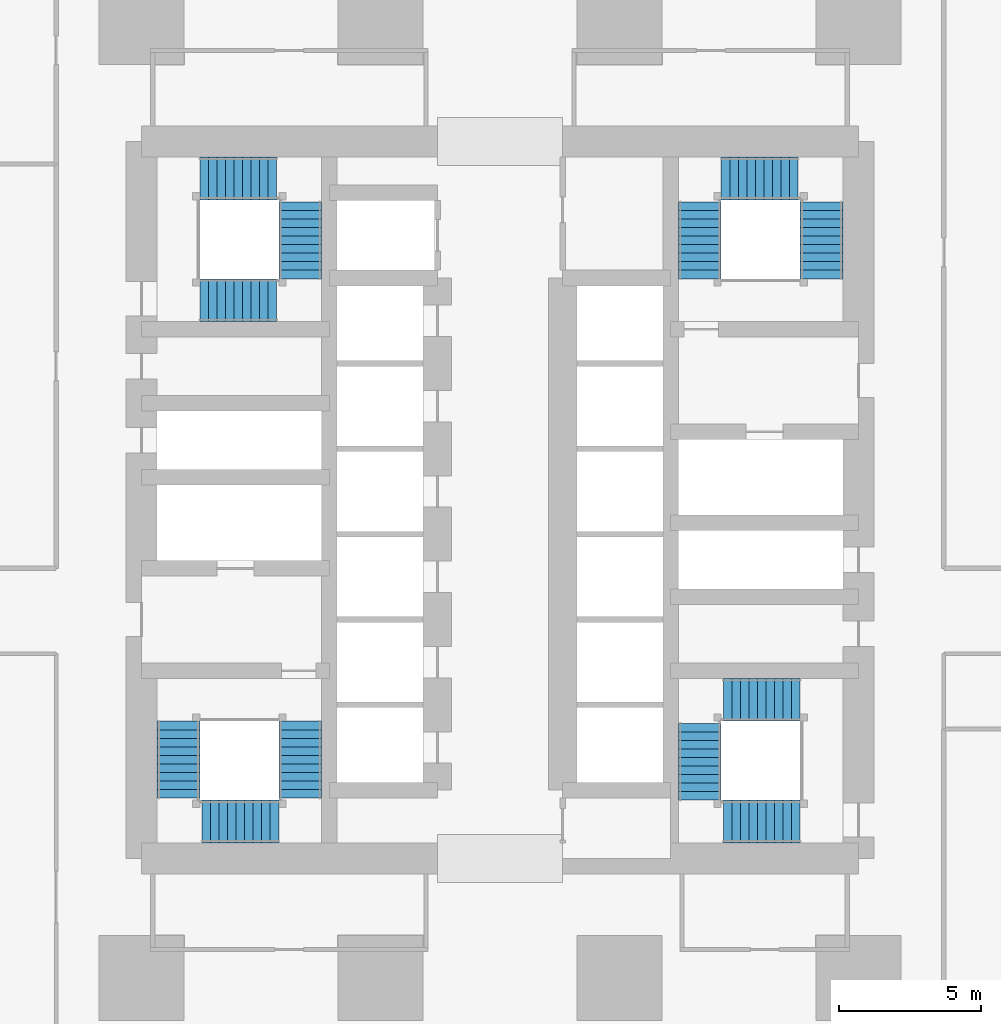
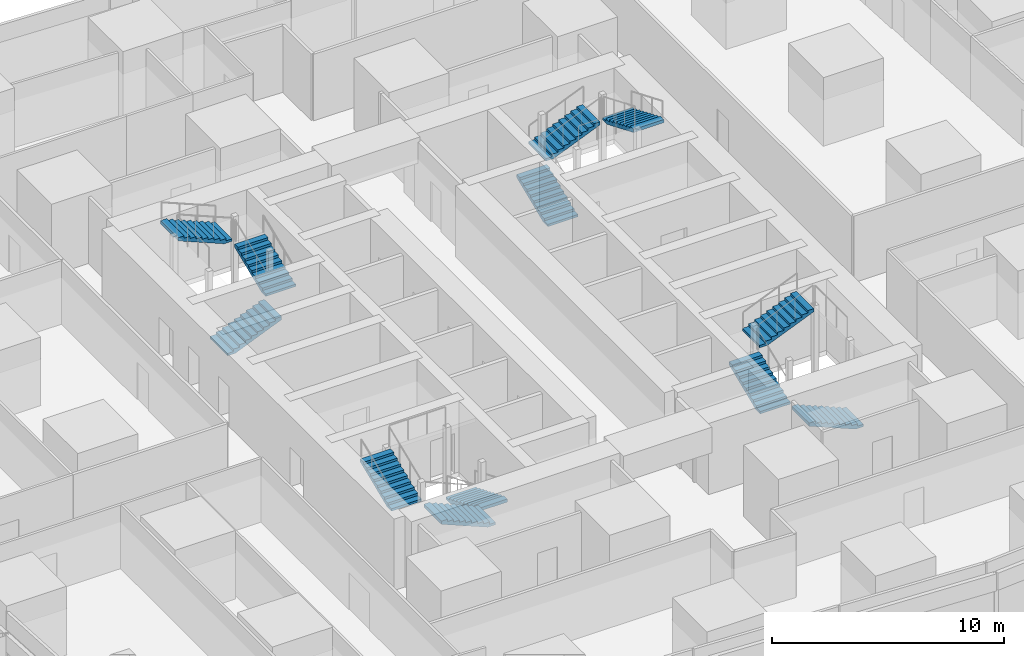
# One storey, part 36 of 45: 12 stair flights, 4 elements without a shape of their own.
"""IFC4 building model written with IfcOpenShell, lengths in metres."""

from ifc_helpers import new_model, si_unit, direction, frame, origin, place, context, subcontext, project, spatial, polyline, outline, extrude, material, type_object, element, aggregate, save


model = new_model("IFC4")

# Units and contexts
model_context = context("Model", 3, precision=1e-05, world=origin(), true_north=direction((0.0, 1.0)))
body_context = subcontext(model_context, "Body", "Model", "MODEL_VIEW")
ifc_project = project(units=[si_unit("LENGTHUNIT", "METRE"), si_unit("AREAUNIT", "SQUARE_METRE"), si_unit("VOLUMEUNIT", "CUBIC_METRE"), si_unit("PLANEANGLEUNIT", "RADIAN"), si_unit("MASSUNIT", "GRAM", prefix="KILO")], contexts=[model_context])

# Site, building, storey
site_placement = place(None, origin())
site = spatial("IfcSite", under=ifc_project, at=site_placement, CompositionType="ELEMENT")
building_placement = place(site_placement, origin())
building = spatial("IfcBuilding", under=site, at=building_placement, Name="Rekha Terrace Tower", CompositionType="ELEMENT")
storey_placement = place(building_placement, frame((0.0, 0.0, 77.89990234375)))
storey = spatial("IfcBuildingStorey", under=building, at=storey_placement, Name="L19", CompositionType="ELEMENT", Elevation=77.89990234375)

# Stair, stair flights
ifc_material = material(Name="Concrete M40", Category="concrete")
stair_type = type_object("IfcStairType", Name="ST30 stair, 30 risers of 125, going 300, 1500 wide flights, 3 flights", PredefinedType="HALF_TURN_STAIR", material=ifc_material)
stair_1_placement = place(storey_placement, origin())
stair_1 = element("IfcStair", 1, at=stair_1_placement, inside=storey, type_object=stair_type, Name="Stair ST1 L19 to L20", PredefinedType="HALF_TURN_STAIR")
stair_flight_type = type_object("IfcStairFlightType", Name="SF10 stair flight, 10 risers of 125, going 300, 1500 wide", PredefinedType="STRAIGHT", material=ifc_material)
stair_flight_1_placement = place(storey_placement, frame((30.77490234375, 25.824951171875, 0.0), z_axis=(0.0, 0.0, 1.0), x_axis=(0.0, -1.0, 0.0)))
stair_flight_1 = element("IfcStairFlight", 2, at=stair_flight_1_placement, type_object=stair_flight_type, Name="ST1 flight 1", NumberOfRisers=10, NumberOfTreads=9, PredefinedType="STRAIGHT", RiserHeight=0.125, TreadLength=0.3, context=body_context, shape_type="SweptSolid", body=[
    extrude(outline(polyline([(0.0, 0.0), (0.0, 0.125), (0.300048828125, 0.125), (0.300048828125, 0.25), (0.60009765625, 0.25), (0.60009765625, 0.375), (0.89990234375, 0.375), (0.89990234375, 0.5), (1.199951171875, 0.5), (1.199951171875, 0.625), (1.5, 0.625), (1.5, 0.75), (1.800048828125, 0.75), (1.800048828125, 0.875), (2.10009765625, 0.875), (2.10009765625, 1.0), (2.39990234375, 1.0), (2.39990234375, 1.125), (2.699951171875, 1.125), (2.699951171875, 1.25), (2.699951171875, 0.962646484375), (0.3896484375, 0.0), (0.0, 0.0)])), frame((0.0, 0.75, 0.0), z_axis=(0.0, -1.0, 0.0), x_axis=(1.0, 0.0, 0.0)), (0.0, 0.0, 1.0), 1.5),
])
stair_flight_2_placement = place(storey_placement, frame((30.02490234375, 22.300048828125, 1.25), z_axis=(0.0, 0.0, 1.0), x_axis=(-1.0, 0.0, 0.0)))
stair_flight_2 = element("IfcStairFlight", 3, at=stair_flight_2_placement, type_object=stair_flight_type, Name="ST1 flight 2", NumberOfRisers=10, NumberOfTreads=9, PredefinedType="STRAIGHT", RiserHeight=0.125, TreadLength=0.3, context=body_context, shape_type="SweptSolid", body=[
    extrude(outline(polyline([(0.0, 0.0), (0.0, 0.125), (0.300048828125, 0.125), (0.300048828125, 0.25), (0.60009765625, 0.25), (0.60009765625, 0.375), (0.89990234375, 0.375), (0.89990234375, 0.5), (1.199951171875, 0.5), (1.199951171875, 0.625), (1.5, 0.625), (1.5, 0.75), (1.800048828125, 0.75), (1.800048828125, 0.875), (2.10009765625, 0.875), (2.10009765625, 1.0), (2.39990234375, 1.0), (2.39990234375, 1.125), (2.699951171875, 1.125), (2.699951171875, 1.25), (2.699951171875, 0.962646484375), (0.3896484375, 0.0), (0.0, 0.0)])), frame((0.0, 0.75, 0.0), z_axis=(0.0, -1.0, 0.0), x_axis=(1.0, 0.0, 0.0)), (0.0, 0.0, 1.0), 1.5),
])
stair_flight_3_placement = place(storey_placement, frame((26.5, 23.125, 2.5), z_axis=(0.0, 0.0, 1.0), x_axis=(0.0, 1.0, 0.0)))
stair_flight_3 = element("IfcStairFlight", 4, at=stair_flight_3_placement, type_object=stair_flight_type, Name="ST1 flight 3", NumberOfRisers=10, NumberOfTreads=9, PredefinedType="STRAIGHT", RiserHeight=0.125, TreadLength=0.3, context=body_context, shape_type="SweptSolid", body=[
    extrude(outline(polyline([(0.0, 0.0), (0.0, 0.125), (0.300048828125, 0.125), (0.300048828125, 0.25), (0.60009765625, 0.25), (0.60009765625, 0.375), (0.89990234375, 0.375), (0.89990234375, 0.5), (1.199951171875, 0.5), (1.199951171875, 0.625), (1.5, 0.625), (1.5, 0.75), (1.800048828125, 0.75), (1.800048828125, 0.875), (2.10009765625, 0.875), (2.10009765625, 1.0), (2.39990234375, 1.0), (2.39990234375, 1.125), (2.699951171875, 1.125), (2.699951171875, 1.25), (2.699951171875, 0.962646484375), (0.3896484375, 0.0), (0.0, 0.0)])), frame((0.0, 0.75, 0.0), z_axis=(0.0, -1.0, 0.0), x_axis=(1.0, 0.0, 0.0)), (0.0, 0.0, 1.0), 1.5),
])
aggregate(stair_1, [stair_flight_1, stair_flight_2, stair_flight_3])

stair_2_placement = place(storey_placement, origin())
stair_2 = element("IfcStair", 5, at=stair_2_placement, inside=storey, type_object=stair_type, Name="Stair ST2 L19 to L20", PredefinedType="HALF_TURN_STAIR")
stair_flight_4_placement = place(storey_placement, frame((44.824951171875, 41.375, 0.0), z_axis=(0.0, 0.0, 1.0), x_axis=(0.0, 1.0, 0.0)))
stair_flight_4 = element("IfcStairFlight", 6, at=stair_flight_4_placement, type_object=stair_flight_type, Name="ST2 flight 1", NumberOfRisers=10, NumberOfTreads=9, PredefinedType="STRAIGHT", RiserHeight=0.125, TreadLength=0.3, context=body_context, shape_type="SweptSolid", body=[
    extrude(outline(polyline([(0.0, 0.0), (0.0, 0.125), (0.300048828125, 0.125), (0.300048828125, 0.25), (0.60009765625, 0.25), (0.60009765625, 0.375), (0.89990234375, 0.375), (0.89990234375, 0.5), (1.199951171875, 0.5), (1.199951171875, 0.625), (1.5, 0.625), (1.5, 0.75), (1.800048828125, 0.75), (1.800048828125, 0.875), (2.10009765625, 0.875), (2.10009765625, 1.0), (2.39990234375, 1.0), (2.39990234375, 1.125), (2.699951171875, 1.125), (2.699951171875, 1.25), (2.699951171875, 0.962646484375), (0.3896484375, 0.0), (0.0, 0.0)])), frame((0.0, 0.75, 0.0), z_axis=(0.0, -1.0, 0.0), x_axis=(1.0, 0.0, 0.0)), (0.0, 0.0, 1.0), 1.5),
])
stair_flight_5_placement = place(storey_placement, frame((45.574951171875, 44.89990234375, 1.25), z_axis=(0.0, 0.0, 1.0), x_axis=(1.0, 0.0, 0.0)))
stair_flight_5 = element("IfcStairFlight", 7, at=stair_flight_5_placement, type_object=stair_flight_type, Name="ST2 flight 2", NumberOfRisers=10, NumberOfTreads=9, PredefinedType="STRAIGHT", RiserHeight=0.125, TreadLength=0.3, context=body_context, shape_type="SweptSolid", body=[
    extrude(outline(polyline([(0.0, 0.0), (0.0, 0.125), (0.300048828125, 0.125), (0.300048828125, 0.25), (0.60009765625, 0.25), (0.60009765625, 0.375), (0.89990234375, 0.375), (0.89990234375, 0.5), (1.199951171875, 0.5), (1.199951171875, 0.625), (1.5, 0.625), (1.5, 0.75), (1.800048828125, 0.75), (1.800048828125, 0.875), (2.10009765625, 0.875), (2.10009765625, 1.0), (2.39990234375, 1.0), (2.39990234375, 1.125), (2.699951171875, 1.125), (2.699951171875, 1.25), (2.699951171875, 0.962646484375), (0.3896484375, 0.0), (0.0, 0.0)])), frame((0.0, 0.75, 0.0), z_axis=(0.0, -1.0, 0.0), x_axis=(1.0, 0.0, 0.0)), (0.0, 0.0, 1.0), 1.5),
])
stair_flight_6_placement = place(storey_placement, frame((49.10009765625, 44.074951171875, 2.5), z_axis=(0.0, 0.0, 1.0), x_axis=(0.0, -1.0, 0.0)))
stair_flight_6 = element("IfcStairFlight", 8, at=stair_flight_6_placement, type_object=stair_flight_type, Name="ST2 flight 3", NumberOfRisers=10, NumberOfTreads=9, PredefinedType="STRAIGHT", RiserHeight=0.125, TreadLength=0.3, context=body_context, shape_type="SweptSolid", body=[
    extrude(outline(polyline([(0.0, 0.0), (0.0, 0.125), (0.300048828125, 0.125), (0.300048828125, 0.25), (0.60009765625, 0.25), (0.60009765625, 0.375), (0.89990234375, 0.375), (0.89990234375, 0.5), (1.199951171875, 0.5), (1.199951171875, 0.625), (1.5, 0.625), (1.5, 0.75), (1.800048828125, 0.75), (1.800048828125, 0.875), (2.10009765625, 0.875), (2.10009765625, 1.0), (2.39990234375, 1.0), (2.39990234375, 1.125), (2.699951171875, 1.125), (2.699951171875, 1.25), (2.699951171875, 0.962646484375), (0.3896484375, 0.0), (0.0, 0.0)])), frame((0.0, 0.75, 0.0), z_axis=(0.0, -1.0, 0.0), x_axis=(1.0, 0.0, 0.0)), (0.0, 0.0, 1.0), 1.5),
])
aggregate(stair_2, [stair_flight_4, stair_flight_5, stair_flight_6])

stair_3_placement = place(storey_placement, origin())
stair_3 = element("IfcStair", 9, at=stair_3_placement, inside=storey, type_object=stair_type, Name="Stair ST3 L19 to L20", PredefinedType="HALF_TURN_STAIR")
stair_flight_7_placement = place(storey_placement, frame((48.35009765625, 22.300048828125, 0.0), z_axis=(0.0, 0.0, 1.0), x_axis=(-1.0, 0.0, 0.0)))
stair_flight_7 = element("IfcStairFlight", 10, at=stair_flight_7_placement, type_object=stair_flight_type, Name="ST3 flight 1", NumberOfRisers=10, NumberOfTreads=9, PredefinedType="STRAIGHT", RiserHeight=0.125, TreadLength=0.3, context=body_context, shape_type="SweptSolid", body=[
    extrude(outline(polyline([(0.0, 0.0), (0.0, 0.125), (0.300048828125, 0.125), (0.300048828125, 0.25), (0.60009765625, 0.25), (0.60009765625, 0.375), (0.89990234375, 0.375), (0.89990234375, 0.5), (1.199951171875, 0.5), (1.199951171875, 0.625), (1.5, 0.625), (1.5, 0.75), (1.800048828125, 0.75), (1.800048828125, 0.875), (2.10009765625, 0.875), (2.10009765625, 1.0), (2.39990234375, 1.0), (2.39990234375, 1.125), (2.699951171875, 1.125), (2.699951171875, 1.25), (2.699951171875, 0.962646484375), (0.3896484375, 0.0), (0.0, 0.0)])), frame((0.0, 0.75, 0.0), z_axis=(0.0, -1.0, 0.0), x_axis=(1.0, 0.0, 0.0)), (0.0, 0.0, 1.0), 1.5),
])
stair_flight_8_placement = place(storey_placement, frame((44.824951171875, 23.050048828125, 1.25), z_axis=(0.0, 0.0, 1.0), x_axis=(0.0, 1.0, 0.0)))
stair_flight_8 = element("IfcStairFlight", 11, at=stair_flight_8_placement, type_object=stair_flight_type, Name="ST3 flight 2", NumberOfRisers=10, NumberOfTreads=9, PredefinedType="STRAIGHT", RiserHeight=0.125, TreadLength=0.3, context=body_context, shape_type="SweptSolid", body=[
    extrude(outline(polyline([(0.0, 0.0), (0.0, 0.125), (0.300048828125, 0.125), (0.300048828125, 0.25), (0.60009765625, 0.25), (0.60009765625, 0.375), (0.89990234375, 0.375), (0.89990234375, 0.5), (1.199951171875, 0.5), (1.199951171875, 0.625), (1.5, 0.625), (1.5, 0.75), (1.800048828125, 0.75), (1.800048828125, 0.875), (2.10009765625, 0.875), (2.10009765625, 1.0), (2.39990234375, 1.0), (2.39990234375, 1.125), (2.699951171875, 1.125), (2.699951171875, 1.25), (2.699951171875, 0.962646484375), (0.3896484375, 0.0), (0.0, 0.0)])), frame((0.0, 0.75, 0.0), z_axis=(0.0, -1.0, 0.0), x_axis=(1.0, 0.0, 0.0)), (0.0, 0.0, 1.0), 1.5),
])
stair_flight_9_placement = place(storey_placement, frame((45.64990234375, 26.574951171875, 2.5), z_axis=(0.0, 0.0, 1.0), x_axis=(1.0, 0.0, 0.0)))
stair_flight_9 = element("IfcStairFlight", 12, at=stair_flight_9_placement, type_object=stair_flight_type, Name="ST3 flight 3", NumberOfRisers=10, NumberOfTreads=9, PredefinedType="STRAIGHT", RiserHeight=0.125, TreadLength=0.3, context=body_context, shape_type="SweptSolid", body=[
    extrude(outline(polyline([(0.0, 0.0), (0.0, 0.125), (0.300048828125, 0.125), (0.300048828125, 0.25), (0.60009765625, 0.25), (0.60009765625, 0.375), (0.89990234375, 0.375), (0.89990234375, 0.5), (1.199951171875, 0.5), (1.199951171875, 0.625), (1.5, 0.625), (1.5, 0.75), (1.800048828125, 0.75), (1.800048828125, 0.875), (2.10009765625, 0.875), (2.10009765625, 1.0), (2.39990234375, 1.0), (2.39990234375, 1.125), (2.699951171875, 1.125), (2.699951171875, 1.25), (2.699951171875, 0.962646484375), (0.3896484375, 0.0), (0.0, 0.0)])), frame((0.0, 0.75, 0.0), z_axis=(0.0, -1.0, 0.0), x_axis=(1.0, 0.0, 0.0)), (0.0, 0.0, 1.0), 1.5),
])
aggregate(stair_3, [stair_flight_7, stair_flight_8, stair_flight_9])

stair_4_placement = place(storey_placement, origin())
stair_4 = element("IfcStair", 13, at=stair_4_placement, inside=storey, type_object=stair_type, Name="Stair ST4 L19 to L20", PredefinedType="HALF_TURN_STAIR")
stair_flight_10_placement = place(storey_placement, frame((27.25, 40.625, 0.0), z_axis=(0.0, 0.0, 1.0), x_axis=(1.0, 0.0, 0.0)))
stair_flight_10 = element("IfcStairFlight", 14, at=stair_flight_10_placement, type_object=stair_flight_type, Name="ST4 flight 1", NumberOfRisers=10, NumberOfTreads=9, PredefinedType="STRAIGHT", RiserHeight=0.125, TreadLength=0.3, context=body_context, shape_type="SweptSolid", body=[
    extrude(outline(polyline([(0.0, 0.0), (0.0, 0.125), (0.300048828125, 0.125), (0.300048828125, 0.25), (0.60009765625, 0.25), (0.60009765625, 0.375), (0.89990234375, 0.375), (0.89990234375, 0.5), (1.199951171875, 0.5), (1.199951171875, 0.625), (1.5, 0.625), (1.5, 0.75), (1.800048828125, 0.75), (1.800048828125, 0.875), (2.10009765625, 0.875), (2.10009765625, 1.0), (2.39990234375, 1.0), (2.39990234375, 1.125), (2.699951171875, 1.125), (2.699951171875, 1.25), (2.699951171875, 0.962646484375), (0.3896484375, 0.0), (0.0, 0.0)])), frame((0.0, 0.75, 0.0), z_axis=(0.0, -1.0, 0.0), x_axis=(1.0, 0.0, 0.0)), (0.0, 0.0, 1.0), 1.5),
])
stair_flight_11_placement = place(storey_placement, frame((30.77490234375, 41.375, 1.25), z_axis=(0.0, 0.0, 1.0), x_axis=(0.0, 1.0, 0.0)))
stair_flight_11 = element("IfcStairFlight", 15, at=stair_flight_11_placement, type_object=stair_flight_type, Name="ST4 flight 2", NumberOfRisers=10, NumberOfTreads=9, PredefinedType="STRAIGHT", RiserHeight=0.125, TreadLength=0.3, context=body_context, shape_type="SweptSolid", body=[
    extrude(outline(polyline([(0.0, 0.0), (0.0, 0.125), (0.300048828125, 0.125), (0.300048828125, 0.25), (0.60009765625, 0.25), (0.60009765625, 0.375), (0.89990234375, 0.375), (0.89990234375, 0.5), (1.199951171875, 0.5), (1.199951171875, 0.625), (1.5, 0.625), (1.5, 0.75), (1.800048828125, 0.75), (1.800048828125, 0.875), (2.10009765625, 0.875), (2.10009765625, 1.0), (2.39990234375, 1.0), (2.39990234375, 1.125), (2.699951171875, 1.125), (2.699951171875, 1.25), (2.699951171875, 0.962646484375), (0.3896484375, 0.0), (0.0, 0.0)])), frame((0.0, 0.75, 0.0), z_axis=(0.0, -1.0, 0.0), x_axis=(1.0, 0.0, 0.0)), (0.0, 0.0, 1.0), 1.5),
])
stair_flight_12_placement = place(storey_placement, frame((29.949951171875, 44.89990234375, 2.5), z_axis=(0.0, 0.0, 1.0), x_axis=(-1.0, 0.0, 0.0)))
stair_flight_12 = element("IfcStairFlight", 16, at=stair_flight_12_placement, type_object=stair_flight_type, Name="ST4 flight 3", NumberOfRisers=10, NumberOfTreads=9, PredefinedType="STRAIGHT", RiserHeight=0.125, TreadLength=0.3, context=body_context, shape_type="SweptSolid", body=[
    extrude(outline(polyline([(0.0, 0.0), (0.0, 0.125), (0.300048828125, 0.125), (0.300048828125, 0.25), (0.60009765625, 0.25), (0.60009765625, 0.375), (0.89990234375, 0.375), (0.89990234375, 0.5), (1.199951171875, 0.5), (1.199951171875, 0.625), (1.5, 0.625), (1.5, 0.75), (1.800048828125, 0.75), (1.800048828125, 0.875), (2.10009765625, 0.875), (2.10009765625, 1.0), (2.39990234375, 1.0), (2.39990234375, 1.125), (2.699951171875, 1.125), (2.699951171875, 1.25), (2.699951171875, 0.962646484375), (0.3896484375, 0.0), (0.0, 0.0)])), frame((0.0, 0.75, 0.0), z_axis=(0.0, -1.0, 0.0), x_axis=(1.0, 0.0, 0.0)), (0.0, 0.0, 1.0), 1.5),
])
aggregate(stair_4, [stair_flight_10, stair_flight_11, stair_flight_12])

save(model, "model.ifc")
